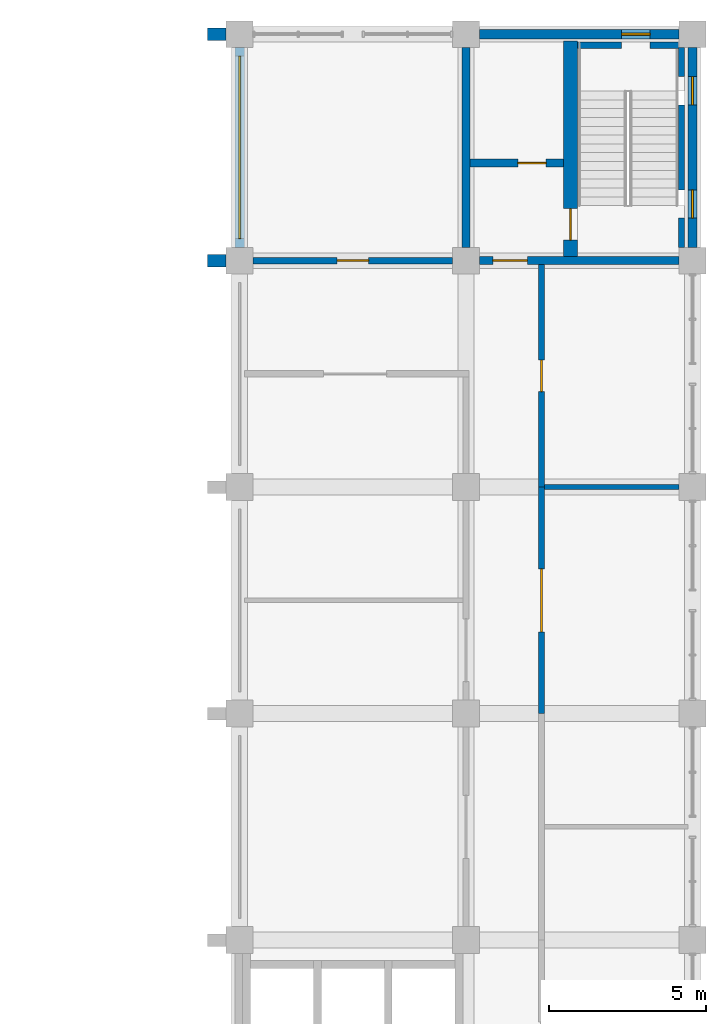
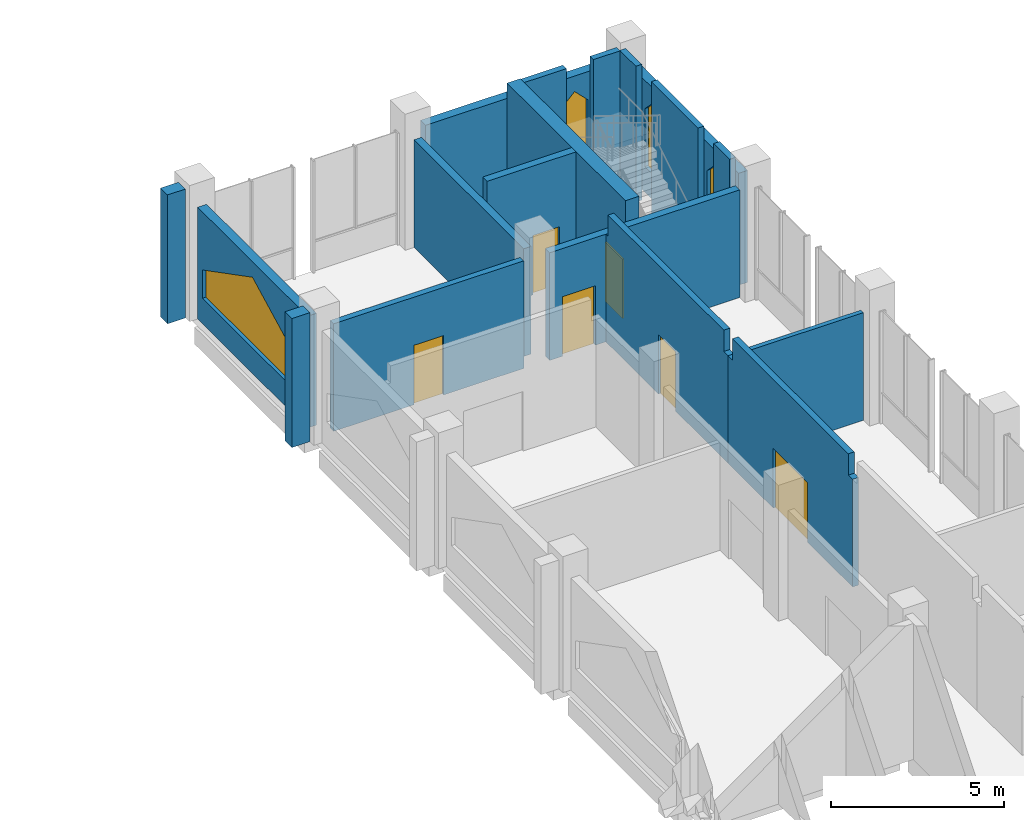
# One storey, part 36 of 40: 18 walls, 6 doors, 4 windows, 10 openings.
"""IFC4 building model written with IfcOpenShell, lengths in metres."""

from ifc_helpers import new_model, si_unit, direction, frame, frame_2d, origin, place, context, subcontext, project, spatial, polyline, rectangle, outline, extrude, material, layer, layer_set, type_object, element, fill, save


model = new_model("IFC4")

# Units and contexts
model_context = context("Model", 3, precision=1e-05, world=origin(), true_north=direction((0.0, 1.0)))
body_context = subcontext(model_context, "Body", "Model", "MODEL_VIEW")
ifc_project = project(units=[si_unit("LENGTHUNIT", "METRE"), si_unit("AREAUNIT", "SQUARE_METRE"), si_unit("VOLUMEUNIT", "CUBIC_METRE"), si_unit("PLANEANGLEUNIT", "RADIAN"), si_unit("MASSUNIT", "GRAM", prefix="KILO")], contexts=[model_context])

# Site, building, storey
site_placement = place(None, origin())
site = spatial("IfcSite", under=ifc_project, at=site_placement, CompositionType="ELEMENT")
building_placement = place(site_placement, origin())
building = spatial("IfcBuilding", under=site, at=building_placement, Name="Silangan Lancet Faculty of Sciences", CompositionType="ELEMENT")
storey_placement = place(building_placement, frame((0.0, 0.0, 16.800048828125)))
storey = spatial("IfcBuildingStorey", under=building, at=storey_placement, Name="L03", CompositionType="ELEMENT", Elevation=16.800048828125)

# Wall, opening, window
ifc_material_1 = material(Name="Concrete C40/50 precast", Category="concrete")
ifc_layer_1 = layer(ifc_material_1, 0.300048828125)
ifc_layer_set_1 = layer_set([ifc_layer_1], Name="Concrete C40/50 precast")
wall_type_1 = type_object("IfcWallType", Name="EW1 Precast cladding wall", PredefinedType="STANDARD", material=ifc_layer_set_1)
wall_1_placement = place(storey_placement, frame((72.0, 50.824951171875, 0.0), z_axis=(0.0, 0.0, 1.0), x_axis=(0.0, 1.0, 0.0)))
wall_1 = element("IfcWall", 1, at=wall_1_placement, inside=storey, type_object=wall_type_1, Name="EW-L03-W-EB-07", PredefinedType="STANDARD", context=body_context, shape_type="SweptSolid", body=[
    extrude(rectangle(XDim=6.35009765625, YDim=0.300048828125, at=frame_2d((3.175048828125, 0.0))), origin(), (0.0, 0.0, 1.0), 3.949951171875),
])
opening_1_placement = place(wall_1_placement, frame((0.27490234375, 0.0, 0.89990234375)))
opening_1 = element("IfcOpeningElement", 2, at=opening_1_placement, cuts=wall_1, Name="Opening W15", PredefinedType="OPENING", context=body_context, shape_type="SweptSolid", body=[
    extrude(outline(polyline([(0.0, 0.0), (5.800048828125, 0.0), (5.800048828125, 1.0), (2.89990234375, 2.5), (0.0, 1.0), (0.0, 0.0)])), frame((0.0, 0.159912109375, 0.0), z_axis=(0.0, -1.0, 0.0), x_axis=(1.0, 0.0, 0.0)), (0.0, 0.0, 1.0), 0.320068359375),
])
ifc_material_2 = material(Name="Aluminium frame, laminated double glazing", Category="aluminium")
window_type_1 = type_object("IfcWindowType", Name="W15 Traceried bay window 5800 x 2500", PartitioningType="TRIPLE_PANEL_VERTICAL", PredefinedType="WINDOW", material=ifc_material_2)
window_1_placement = place(opening_1_placement, origin())
window_1 = element("IfcWindow", 3, at=window_1_placement, inside=storey, type_object=window_type_1, Name="WIN-L03-W-EB-07a", OverallHeight=2.5, OverallWidth=5.800048828125, PartitioningType="TRIPLE_PANEL_VERTICAL", PredefinedType="WINDOW", context=body_context, shape_type="SweptSolid", body=[
    extrude(outline(polyline([(0.0, 0.0), (5.800048828125, 0.0), (5.800048828125, 1.0), (2.89990234375, 2.5), (0.0, 1.0), (0.0, 0.0)])), frame((0.0, 0.030029296875, 0.0), z_axis=(0.0, -1.0, 0.0), x_axis=(1.0, 0.0, 0.0)), (0.0, 0.0, 1.0), 0.06005859375),
])
fill(opening_1, window_1)

# Wall, openings, windows
ifc_material_3 = material(Name="Concrete C40/50 precast", Category="concrete")
ifc_layer_2 = layer(ifc_material_3, 0.300048828125)
ifc_layer_set_2 = layer_set([ifc_layer_2], Name="Concrete C40/50 precast")
wall_type_2 = type_object("IfcWallType", Name="EW2 Turret enclosure wall", PredefinedType="STANDARD", material=ifc_layer_set_2)
wall_2_placement = place(storey_placement, frame((86.39990234375, 50.824951171875, 0.0), z_axis=(0.0, 0.0, 1.0), x_axis=(0.0, 1.0, 0.0)))
wall_2 = element("IfcWall", 4, at=wall_2_placement, inside=storey, type_object=wall_type_2, Name="EW-L03-E-EB-07", PredefinedType="STANDARD", context=body_context, shape_type="SweptSolid", body=[
    extrude(rectangle(XDim=6.35009765625, YDim=0.300048828125, at=frame_2d((3.175048828125, 0.0))), origin(), (0.0, 0.0, 1.0), 3.949951171875),
])
opening_2_placement = place(wall_2_placement, frame((0.925048828125, 0.0, 0.89990234375)))
opening_2 = element("IfcOpeningElement", 5, at=opening_2_placement, cuts=wall_2, Name="Opening W11", PredefinedType="OPENING", context=body_context, shape_type="SweptSolid", body=[
    extrude(outline(polyline([(0.0, 0.0), (0.89990234375, 0.0), (0.89990234375, 2.050048828125), (0.449951171875, 2.5), (0.0, 2.050048828125), (0.0, 0.0)])), frame((0.0, 0.159912109375, 0.0), z_axis=(0.0, -1.0, 0.0), x_axis=(1.0, 0.0, 0.0)), (0.0, 0.0, 1.0), 0.320068359375),
])
opening_3_placement = place(wall_2_placement, frame((4.52490234375, 0.0, 0.89990234375)))
opening_3 = element("IfcOpeningElement", 6, at=opening_3_placement, cuts=wall_2, Name="Opening W11", PredefinedType="OPENING", context=body_context, shape_type="SweptSolid", body=[
    extrude(outline(polyline([(0.0, 0.0), (0.89990234375, 0.0), (0.89990234375, 2.050048828125), (0.449951171875, 2.5), (0.0, 2.050048828125), (0.0, 0.0)])), frame((0.0, 0.159912109375, 0.0), z_axis=(0.0, -1.0, 0.0), x_axis=(1.0, 0.0, 0.0)), (0.0, 0.0, 1.0), 0.320068359375),
])
ifc_material_4 = material(Name="Aluminium frame, laminated double glazing", Category="aluminium")
window_type_2 = type_object("IfcWindowType", Name="W11 Lancet window 900 x 2500", PartitioningType="SINGLE_PANEL", PredefinedType="WINDOW", material=ifc_material_4)
window_2_placement = place(opening_2_placement, origin())
window_2 = element("IfcWindow", 7, at=window_2_placement, inside=storey, type_object=window_type_2, Name="WIN-L03-E-EB-07a", OverallHeight=2.5, OverallWidth=0.89990234375, PartitioningType="SINGLE_PANEL", PredefinedType="WINDOW", context=body_context, shape_type="SweptSolid", body=[
    extrude(outline(polyline([(0.0, 0.0), (0.89990234375, 0.0), (0.89990234375, 2.050048828125), (0.449951171875, 2.5), (0.0, 2.050048828125), (0.0, 0.0)])), frame((0.0, 0.030029296875, 0.0), z_axis=(0.0, -1.0, 0.0), x_axis=(1.0, 0.0, 0.0)), (0.0, 0.0, 1.0), 0.06005859375),
])
fill(opening_2, window_2)
window_3_placement = place(opening_3_placement, origin())
window_3 = element("IfcWindow", 8, at=window_3_placement, inside=storey, type_object=window_type_2, Name="WIN-L03-E-EB-07b", OverallHeight=2.5, OverallWidth=0.89990234375, PartitioningType="SINGLE_PANEL", PredefinedType="WINDOW", context=body_context, shape_type="SweptSolid", body=[
    extrude(outline(polyline([(0.0, 0.0), (0.89990234375, 0.0), (0.89990234375, 2.050048828125), (0.449951171875, 2.5), (0.0, 2.050048828125), (0.0, 0.0)])), frame((0.0, 0.030029296875, 0.0), z_axis=(0.0, -1.0, 0.0), x_axis=(1.0, 0.0, 0.0)), (0.0, 0.0, 1.0), 0.06005859375),
])
fill(opening_3, window_3)

# Wall, opening, window
wall_3_placement = place(storey_placement, frame((85.97509765625, 57.60009765625, 0.0), z_axis=(0.0, 0.0, 1.0), x_axis=(-1.0, 0.0, 0.0)))
wall_3 = element("IfcWall", 9, at=wall_3_placement, inside=storey, type_object=wall_type_2, Name="EW-L03-N-EB-00", PredefinedType="STANDARD", context=body_context, shape_type="SweptSolid", body=[
    extrude(rectangle(XDim=6.35009765625, YDim=0.300048828125, at=frame_2d((3.175048828125, 0.0))), origin(), (0.0, 0.0, 1.0), 3.949951171875),
])
opening_4_placement = place(wall_3_placement, frame((0.925048828125, 0.0, 0.89990234375)))
opening_4 = element("IfcOpeningElement", 10, at=opening_4_placement, cuts=wall_3, Name="Opening W11", PredefinedType="OPENING", context=body_context, shape_type="SweptSolid", body=[
    extrude(outline(polyline([(0.0, 0.0), (0.89990234375, 0.0), (0.89990234375, 2.050048828125), (0.449951171875, 2.5), (0.0, 2.050048828125), (0.0, 0.0)])), frame((0.0, 0.159912109375, 0.0), z_axis=(0.0, -1.0, 0.0), x_axis=(1.0, 0.0, 0.0)), (0.0, 0.0, 1.0), 0.320068359375),
])
window_4_placement = place(opening_4_placement, origin())
window_4 = element("IfcWindow", 11, at=window_4_placement, inside=storey, type_object=window_type_2, Name="WIN-L03-N-EB-00a", OverallHeight=2.5, OverallWidth=0.89990234375, PartitioningType="SINGLE_PANEL", PredefinedType="WINDOW", context=body_context, shape_type="SweptSolid", body=[
    extrude(outline(polyline([(0.0, 0.0), (0.89990234375, 0.0), (0.89990234375, 2.050048828125), (0.449951171875, 2.5), (0.0, 2.050048828125), (0.0, 0.0)])), frame((0.0, 0.030029296875, 0.0), z_axis=(0.0, -1.0, 0.0), x_axis=(1.0, 0.0, 0.0)), (0.0, 0.0, 1.0), 0.06005859375),
])
fill(opening_4, window_4)

# Walls
ifc_material_5 = material(Name="Concrete C40/50 precast", Category="concrete")
ifc_layer_3 = layer(ifc_material_5, 0.39990234375)
ifc_layer_set_3 = layer_set([ifc_layer_3], Name="Concrete C40/50 precast")
wall_type_3 = type_object("IfcWallType", Name="FN53 Buttress Fin column line stage 1 4550", PredefinedType="POLYGONAL", material=ifc_layer_set_3)
for number, where, z_axis, x_axis, name in (
    (12, (71.574951171875, 50.39990234375, 0.0), (0.0, 0.0, 1.0), (-1.0, 0.0, 0.0), "FINC-W-EB-08"),
    (13, (71.574951171875, 57.60009765625, 0.0), (0.0, 0.0, 1.0), (-1.0, 0.0, 0.0), "FINC-W-EB-09"),
):
    element("IfcWall", number, at=place(storey_placement, frame(where, z_axis=z_axis, x_axis=x_axis)), inside=storey, type_object=wall_type_3, Name=name, PredefinedType="POLYGONAL", context=body_context, shape_type="SweptSolid", body=[
        extrude(outline(polyline([(0.60009765625, 0.0), (0.60009765625, 4.550048828125), (0.0, 4.550048828125), (0.0, 0.0), (0.60009765625, 0.0)])), frame((0.0, 0.199951171875, 0.0), z_axis=(0.0, -1.0, 0.0), x_axis=(1.0, 0.0, 0.0)), (0.0, 0.0, 1.0), 0.39990234375),
    ])

# Wall, opening, door
ifc_material_6 = material(Name="Hollow block masonry fm 7 MPa", Category="masonry")
ifc_layer_4 = layer(ifc_material_6, 0.199951171875)
ifc_layer_set_4 = layer_set([ifc_layer_4], Name="Hollow block masonry fm 7 MPa")
wall_type_4 = type_object("IfcWallType", Name="Interior wall PW1 Corridor wall CHB 200", PredefinedType="PARTITIONING", material=ifc_layer_set_4)
wall_4_placement = place(storey_placement, frame((72.425048828125, 50.39990234375, 0.0), z_axis=(0.0, 0.0, 1.0), x_axis=(1.0, 0.0, 0.0)))
wall_4 = element("IfcWall", 14, at=wall_4_placement, inside=storey, type_object=wall_type_4, Name="Corridor wall CHB 200", PredefinedType="PARTITIONING", context=body_context, shape_type="SweptSolid", body=[
    extrude(rectangle(XDim=6.349853515625, YDim=0.199951171875, at=frame_2d((3.1748046875, 0.0))), origin(), (0.0, 0.0, 1.0), 3.800048828125),
])
opening_5_placement = place(wall_4_placement, frame((2.675048828125, 0.0, 0.0)))
opening_5 = element("IfcOpeningElement", 15, at=opening_5_placement, cuts=wall_4, Name="Opening L03-043", PredefinedType="OPENING", context=body_context, shape_type="SweptSolid", body=[
    extrude(rectangle(XDim=1.0, YDim=2.10009765625, at=frame_2d((0.5, 1.050048828125))), frame((0.0, 0.10986328125, 0.0), z_axis=(0.0, -1.0, 0.0), x_axis=(1.0, 0.0, 0.0)), (0.0, 0.0, 1.0), 0.219970703125),
])
ifc_material_7 = material(Name="Steel fire door set", Category="steel")
door_type_1 = type_object("IfcDoorType", Name="Door D1 Single leaf fire door 1000 x 2100", OperationType="SINGLE_SWING_LEFT", PredefinedType="DOOR", material=ifc_material_7)
door_1_placement = place(opening_5_placement, origin())
door_1 = element("IfcDoor", 16, at=door_1_placement, inside=storey, type_object=door_type_1, Name="Single leaf fire door 1000 x 2100", OperationType="SINGLE_SWING_RIGHT", OverallHeight=2.10009765625, OverallWidth=1.0, PredefinedType="DOOR", context=body_context, shape_type="SweptSolid", body=[
    extrude(rectangle(XDim=1.0, YDim=2.10009765625, at=frame_2d((0.5, 1.050048828125))), frame((0.0, 0.02490234375, 0.0), z_axis=(0.0, -1.0, 0.0), x_axis=(1.0, 0.0, 0.0)), (0.0, 0.0, 1.0), 0.050048828125),
])
fill(opening_5, door_1)

wall_5_placement = place(storey_placement, frame((81.60009765625, 36.0, 0.0), z_axis=(0.0, 0.0, 1.0), x_axis=(0.0, 1.0, 0.0)))
wall_5 = element("IfcWall", 17, at=wall_5_placement, inside=storey, type_object=wall_type_4, Name="Corridor wall CHB 200", PredefinedType="PARTITIONING", context=body_context, shape_type="SweptSolid", body=[
    extrude(outline(polyline([(0.0, 0.0), (7.199951171875, 0.0), (7.199951171875, 3.800048828125), (6.949951171875, 3.800048828125), (6.949951171875, 4.550048828125), (0.25, 4.550048828125), (0.25, 3.800048828125), (0.0, 3.800048828125), (0.0, 0.0)])), frame((0.0, 0.10009765625, 0.0), z_axis=(0.0, -1.0, 0.0), x_axis=(1.0, 0.0, 0.0)), (0.0, 0.0, 1.0), 0.199951171875),
])
opening_6_placement = place(wall_5_placement, frame((2.60009765625, 0.0, 0.0)))
opening_6 = element("IfcOpeningElement", 18, at=opening_6_placement, cuts=wall_5, Name="Opening L03-047", PredefinedType="OPENING", context=body_context, shape_type="SweptSolid", body=[
    extrude(rectangle(XDim=2.0, YDim=2.10009765625, at=frame_2d((1.0, 1.050048828125))), frame((0.0, 0.10986328125, 0.0), z_axis=(0.0, -1.0, 0.0), x_axis=(1.0, 0.0, 0.0)), (0.0, 0.0, 1.0), 0.219970703125),
])
ifc_material_8 = material(Name="Steel fire door set", Category="steel")
door_type_2 = type_object("IfcDoorType", Name="Door D4 Double leaf fire door 2000 x 2100", OperationType="DOUBLE_DOOR_SINGLE_SWING", PredefinedType="DOOR", material=ifc_material_8)
door_2_placement = place(opening_6_placement, origin())
door_2 = element("IfcDoor", 19, at=door_2_placement, inside=storey, type_object=door_type_2, Name="Double leaf fire door 2000 x 2100", OperationType="DOUBLE_DOOR_SINGLE_SWING", OverallHeight=2.10009765625, OverallWidth=2.0, PredefinedType="DOOR", context=body_context, shape_type="SweptSolid", body=[
    extrude(rectangle(XDim=2.0, YDim=2.10009765625, at=frame_2d((1.0, 1.050048828125))), frame((0.0, 0.02490234375, 0.0), z_axis=(0.0, -1.0, 0.0), x_axis=(1.0, 0.0, 0.0)), (0.0, 0.0, 1.0), 0.050048828125),
])
fill(opening_6, door_2)

wall_6_placement = place(storey_placement, frame((81.60009765625, 43.199951171875, 0.0), z_axis=(0.0, 0.0, 1.0), x_axis=(0.0, 1.0, 0.0)))
wall_6 = element("IfcWall", 20, at=wall_6_placement, inside=storey, type_object=wall_type_4, Name="Corridor wall CHB 200", PredefinedType="PARTITIONING", context=body_context, shape_type="SweptSolid", body=[
    extrude(outline(polyline([(0.0, 0.0), (7.074951171875, 0.0), (7.074951171875, 3.800048828125), (6.949951171875, 3.800048828125), (6.949951171875, 4.550048828125), (0.25, 4.550048828125), (0.25, 3.800048828125), (0.0, 3.800048828125), (0.0, 0.0)])), frame((0.0, 0.10009765625, 0.0), z_axis=(0.0, -1.0, 0.0), x_axis=(1.0, 0.0, 0.0)), (0.0, 0.0, 1.0), 0.199951171875),
])
opening_7_placement = place(wall_6_placement, frame((3.03759765625, 0.0, 0.0)))
opening_7 = element("IfcOpeningElement", 21, at=opening_7_placement, cuts=wall_6, Name="Opening L03-048", PredefinedType="OPENING", context=body_context, shape_type="SweptSolid", body=[
    extrude(rectangle(XDim=1.0, YDim=2.10009765625, at=frame_2d((0.5, 1.050048828125))), frame((0.0, 0.10986328125, 0.0), z_axis=(0.0, -1.0, 0.0), x_axis=(1.0, 0.0, 0.0)), (0.0, 0.0, 1.0), 0.219970703125),
])
door_3_placement = place(opening_7_placement, frame((1.0, 0.0, 0.0), z_axis=(0.0, 0.0, 1.0), x_axis=(-1.0, 0.0, 0.0)))
door_3 = element("IfcDoor", 22, at=door_3_placement, inside=storey, type_object=door_type_1, Name="Single leaf fire door 1000 x 2100", OperationType="SINGLE_SWING_RIGHT", OverallHeight=2.10009765625, OverallWidth=1.0, PredefinedType="DOOR", context=body_context, shape_type="SweptSolid", body=[
    extrude(rectangle(XDim=1.0, YDim=2.10009765625, at=frame_2d((0.5, 1.050048828125))), frame((0.0, 0.025146484375, 0.0), z_axis=(0.0, -1.0, 0.0), x_axis=(1.0, 0.0, 0.0)), (0.0, 0.0, 1.0), 0.050048828125),
])
fill(opening_7, door_3)

# Wall
ifc_material_9 = material(Name="Hollow block masonry fm 7 MPa", Category="masonry")
ifc_layer_5 = layer(ifc_material_9, 0.14990234375)
ifc_layer_set_5 = layer_set([ifc_layer_5], Name="Hollow block masonry fm 7 MPa")
wall_type_5 = type_object("IfcWallType", Name="Interior wall PW3 Partition CHB 150", PredefinedType="PARTITIONING", material=ifc_layer_set_5)
wall_7_placement = place(storey_placement, frame((81.699951171875, 43.199951171875, 0.0), z_axis=(0.0, 0.0, 1.0), x_axis=(1.0, 0.0, 0.0)))
element("IfcWall", 23, at=wall_7_placement, inside=storey, type_object=wall_type_5, Name="Partition CHB 150", PredefinedType="PARTITIONING", context=body_context, shape_type="SweptSolid", body=[
    extrude(rectangle(XDim=4.275146484375, YDim=0.14990234375, at=frame_2d((2.1376953125, 0.0))), origin(), (0.0, 0.0, 1.0), 3.800048828125),
])

# Wall, opening, door
ifc_material_10 = material(Name="Concrete C40/50", Category="concrete")
ifc_layer_6 = layer(ifc_material_10, 0.449951171875)
ifc_layer_set_6 = layer_set([ifc_layer_6], Name="Concrete C40/50")
wall_type_6 = type_object("IfcWallType", Name="TURRET CORE WALL RC 450", PredefinedType="SHEAR", material=ifc_layer_set_6)
wall_8_placement = place(storey_placement, frame((82.52490234375, 50.52490234375, 0.0), z_axis=(0.0, 0.0, 1.0), x_axis=(0.0, 1.0, 0.0)))
wall_8 = element("IfcWall", 24, at=wall_8_placement, inside=storey, type_object=wall_type_6, Name="WALL-L03-EB-B-WELL", PredefinedType="SHEAR", context=body_context, shape_type="SweptSolid", body=[
    extrude(rectangle(XDim=6.85009765625, YDim=0.449951171875, at=frame_2d((3.425048828125, 0.0))), origin(), (0.0, 0.0, 1.0), 4.550048828125),
])
opening_8_placement = place(wall_8_placement, frame((0.52490234375, 0.0, 0.0)))
opening_8 = element("IfcOpeningElement", 25, at=opening_8_placement, cuts=wall_8, Name="Opening L03-704", PredefinedType="OPENING", context=body_context, shape_type="SweptSolid", body=[
    extrude(rectangle(XDim=1.0, YDim=2.10009765625, at=frame_2d((0.5, 1.050048828125))), frame((0.0, 0.23486328125, 0.0), z_axis=(0.0, -1.0, 0.0), x_axis=(1.0, 0.0, 0.0)), (0.0, 0.0, 1.0), 0.469970703125),
])
ifc_material_11 = material(Name="Steel fire door set", Category="steel")
door_type_3 = type_object("IfcDoorType", Name="D71 Stair enclosure door 1000x2100", OperationType="SINGLE_SWING_LEFT", PredefinedType="DOOR", material=ifc_material_11)
door_4_placement = place(opening_8_placement, frame((1.0, 0.0, 0.0), z_axis=(0.0, 0.0, 1.0), x_axis=(-1.0, 0.0, 0.0)))
door_4 = element("IfcDoor", 26, at=door_4_placement, inside=storey, type_object=door_type_3, Name="Stair enclosure door EB-B L03", OperationType="SINGLE_SWING_RIGHT", OverallHeight=2.10009765625, OverallWidth=1.0, PredefinedType="DOOR", context=body_context, shape_type="SweptSolid", body=[
    extrude(rectangle(XDim=1.0, YDim=2.10009765625, at=frame_2d((0.5, 1.050048828125))), frame((0.0, 0.025146484375, 0.0), z_axis=(0.0, -1.0, 0.0), x_axis=(1.0, 0.0, 0.0)), (0.0, 0.0, 1.0), 0.050048828125),
])
fill(opening_8, door_4)

# Walls
ifc_material_12 = material(Name="Concrete C40/50", Category="concrete")
ifc_layer_7 = layer(ifc_material_12, 0.199951171875)
ifc_layer_set_7 = layer_set([ifc_layer_7], Name="Concrete C40/50")
wall_type_7 = type_object("IfcWallType", Name="TURRET LINING WALL RC 200", PredefinedType="SHEAR", material=ifc_layer_set_7)
wall_9_placement = place(storey_placement, frame((86.050048828125, 50.824951171875, -0.25), z_axis=(0.0, 0.0, 1.0), x_axis=(0.0, 1.0, 0.0)))
element("IfcWall", 27, at=wall_9_placement, inside=storey, type_object=wall_type_7, Name="WALL-L03-EB-B-WL", PredefinedType="SHEAR", context=body_context, shape_type="SweptSolid", body=[
    extrude(rectangle(XDim=0.925048828125, YDim=0.199951171875, at=frame_2d((0.46240234375, 0.0))), origin(), (0.0, 0.0, 1.0), 4.800048828125),
])
wall_10_placement = place(storey_placement, frame((86.050048828125, 52.64990234375, -0.25), z_axis=(0.0, 0.0, 1.0), x_axis=(0.0, 1.0, 0.0)))
element("IfcWall", 28, at=wall_10_placement, inside=storey, type_object=wall_type_7, Name="WALL-L03-EB-B-WL-2", PredefinedType="SHEAR", context=body_context, shape_type="SweptSolid", body=[
    extrude(rectangle(XDim=2.7001953125, YDim=0.199951171875, at=frame_2d((1.35009765625, 0.0))), origin(), (0.0, 0.0, 1.0), 4.800048828125),
])
wall_11_placement = place(storey_placement, frame((86.050048828125, 56.25, -0.25), z_axis=(0.0, 0.0, 1.0), x_axis=(0.0, 1.0, 0.0)))
element("IfcWall", 29, at=wall_11_placement, inside=storey, type_object=wall_type_7, Name="WALL-L03-EB-B-WL-3", PredefinedType="SHEAR", context=body_context, shape_type="SweptSolid", body=[
    extrude(rectangle(XDim=0.925048828125, YDim=0.199951171875, at=frame_2d((0.46240234375, 0.0))), origin(), (0.0, 0.0, 1.0), 4.800048828125),
])
wall_12_placement = place(storey_placement, frame((82.75, 57.25, -0.25), z_axis=(0.0, 0.0, 1.0), x_axis=(1.0, 0.0, 0.0)))
element("IfcWall", 30, at=wall_12_placement, inside=storey, type_object=wall_type_7, Name="WALL-L03-EB-B-WLD", PredefinedType="SHEAR", context=body_context, shape_type="SweptSolid", body=[
    extrude(rectangle(XDim=1.39990234375, YDim=0.199951171875, at=frame_2d((0.699951171875, 0.0))), origin(), (0.0, 0.0, 1.0), 4.800048828125),
])
wall_13_placement = place(storey_placement, frame((85.050048828125, 57.25, -0.25), z_axis=(0.0, 0.0, 1.0), x_axis=(1.0, 0.0, 0.0)))
element("IfcWall", 31, at=wall_13_placement, inside=storey, type_object=wall_type_7, Name="WALL-L03-EB-B-WLD-2", PredefinedType="SHEAR", context=body_context, shape_type="SweptSolid", body=[
    extrude(rectangle(XDim=0.89990234375, YDim=0.199951171875, at=frame_2d((0.449951171875, 0.0))), origin(), (0.0, 0.0, 1.0), 4.800048828125),
])

# Wall, opening, door
ifc_material_13 = material(Name="Concrete C40/50", Category="concrete")
ifc_layer_8 = layer(ifc_material_13, 0.25)
ifc_layer_set_8 = layer_set([ifc_layer_8], Name="Concrete C40/50")
wall_type_8 = type_object("IfcWallType", Name="TURRET WALL RC 250", PredefinedType="SHEAR", material=ifc_layer_set_8)
wall_14_placement = place(storey_placement, frame((79.625, 50.39990234375, 0.0), z_axis=(0.0, 0.0, 1.0), x_axis=(1.0, 0.0, 0.0)))
wall_14 = element("IfcWall", 32, at=wall_14_placement, inside=storey, type_object=wall_type_8, Name="WALL-L03-EB-B-V", PredefinedType="SHEAR", context=body_context, shape_type="SweptSolid", body=[
    extrude(rectangle(XDim=6.35009765625, YDim=0.25, at=frame_2d((3.175048828125, 0.0))), origin(), (0.0, 0.0, 1.0), 3.800048828125),
])
opening_9_placement = place(wall_14_placement, frame((0.425048828125, 0.0, 0.0)))
opening_9 = element("IfcOpeningElement", 33, at=opening_9_placement, cuts=wall_14, Name="Opening L03-705", PredefinedType="OPENING", context=body_context, shape_type="SweptSolid", body=[
    extrude(rectangle(XDim=1.10009765625, YDim=2.10009765625, at=frame_2d((0.550048828125, 1.050048828125))), frame((0.0, 0.135009765625, 0.0), z_axis=(0.0, -1.0, 0.0), x_axis=(1.0, 0.0, 0.0)), (0.0, 0.0, 1.0), 0.27001953125),
])
ifc_material_14 = material(Name="Steel fire door set", Category="steel")
door_type_4 = type_object("IfcDoorType", Name="D70 Stair vestibule door 1100x2100", OperationType="SINGLE_SWING_LEFT", PredefinedType="DOOR", material=ifc_material_14)
door_5_placement = place(opening_9_placement, origin())
door_5 = element("IfcDoor", 34, at=door_5_placement, inside=storey, type_object=door_type_4, Name="Stair vestibule door EB-B L03", OperationType="SINGLE_SWING_LEFT", OverallHeight=2.10009765625, OverallWidth=1.10009765625, PredefinedType="DOOR", context=body_context, shape_type="SweptSolid", body=[
    extrude(rectangle(XDim=1.10009765625, YDim=2.10009765625, at=frame_2d((0.550048828125, 1.050048828125))), frame((0.0, 0.02490234375, 0.0), z_axis=(0.0, -1.0, 0.0), x_axis=(1.0, 0.0, 0.0)), (0.0, 0.0, 1.0), 0.050048828125),
])
fill(opening_9, door_5)

# Wall
wall_15_placement = place(storey_placement, frame((79.199951171875, 50.824951171875, 0.0), z_axis=(0.0, 0.0, 1.0), x_axis=(0.0, 1.0, 0.0)))
element("IfcWall", 35, at=wall_15_placement, inside=storey, type_object=wall_type_8, Name="WALL-L03-EB-B-O", PredefinedType="SHEAR", context=body_context, shape_type="SweptSolid", body=[
    extrude(rectangle(XDim=6.35009765625, YDim=0.25, at=frame_2d((3.175048828125, 0.0))), origin(), (0.0, 0.0, 1.0), 3.800048828125),
])

# Wall, opening, door
wall_16_placement = place(storey_placement, frame((79.324951171875, 53.5, 0.0), z_axis=(0.0, 0.0, 1.0), x_axis=(1.0, 0.0, 0.0)))
wall_16 = element("IfcWall", 36, at=wall_16_placement, inside=storey, type_object=wall_type_8, Name="WALL-L03-EB-B-RISER", PredefinedType="SHEAR", context=body_context, shape_type="SweptSolid", body=[
    extrude(rectangle(XDim=2.97509765625, YDim=0.25, at=frame_2d((1.487548828125, 0.0))), origin(), (0.0, 0.0, 1.0), 4.550048828125),
])
opening_10_placement = place(wall_16_placement, frame((1.52490234375, 0.0, 0.0)))
opening_10 = element("IfcOpeningElement", 37, at=opening_10_placement, cuts=wall_16, Name="Opening L03-706", PredefinedType="OPENING", context=body_context, shape_type="SweptSolid", body=[
    extrude(rectangle(XDim=0.89990234375, YDim=2.10009765625, at=frame_2d((0.449951171875, 1.050048828125))), frame((0.0, 0.135009765625, 0.0), z_axis=(0.0, -1.0, 0.0), x_axis=(1.0, 0.0, 0.0)), (0.0, 0.0, 1.0), 0.27001953125),
])
ifc_material_15 = material(Name="Steel fire door set", Category="steel")
door_type_5 = type_object("IfcDoorType", Name="D72 Riser access door 900x2100", OperationType="SINGLE_SWING_LEFT", PredefinedType="DOOR", material=ifc_material_15)
door_6_placement = place(opening_10_placement, origin())
door_6 = element("IfcDoor", 38, at=door_6_placement, inside=storey, type_object=door_type_5, Name="Riser access door EB-B L03", OperationType="SINGLE_SWING_LEFT", OverallHeight=2.10009765625, OverallWidth=0.89990234375, PredefinedType="DOOR", context=body_context, shape_type="SweptSolid", body=[
    extrude(rectangle(XDim=0.89990234375, YDim=2.10009765625, at=frame_2d((0.449951171875, 1.050048828125))), frame((0.0, 0.02490234375, 0.0), z_axis=(0.0, -1.0, 0.0), x_axis=(1.0, 0.0, 0.0)), (0.0, 0.0, 1.0), 0.050048828125),
])
fill(opening_10, door_6)

save(model, "model.ifc")
